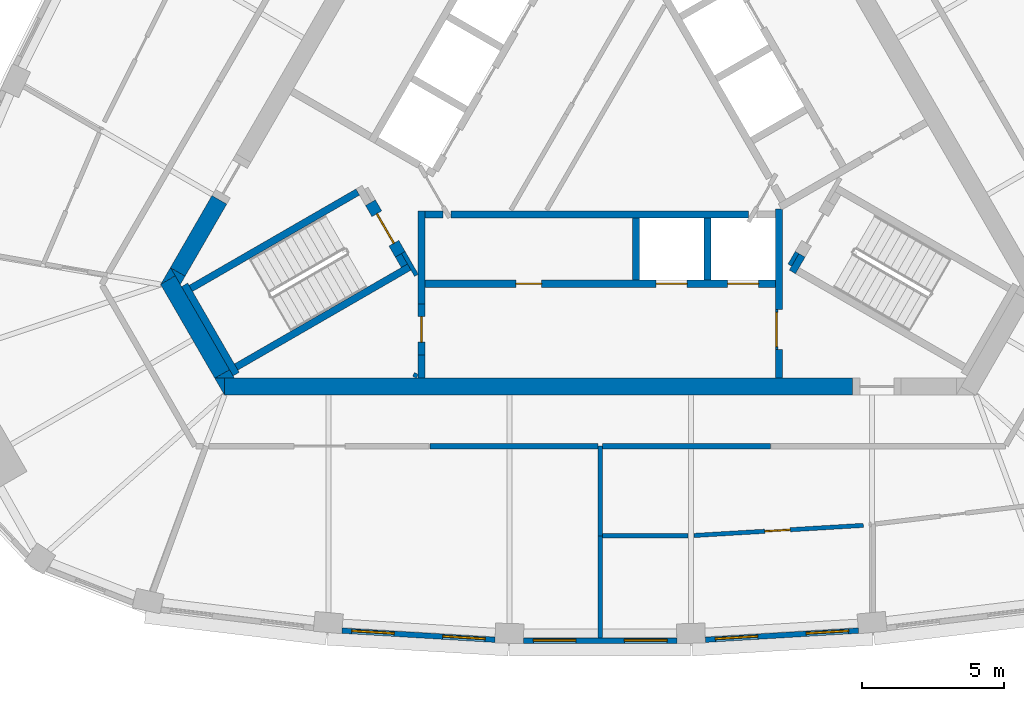
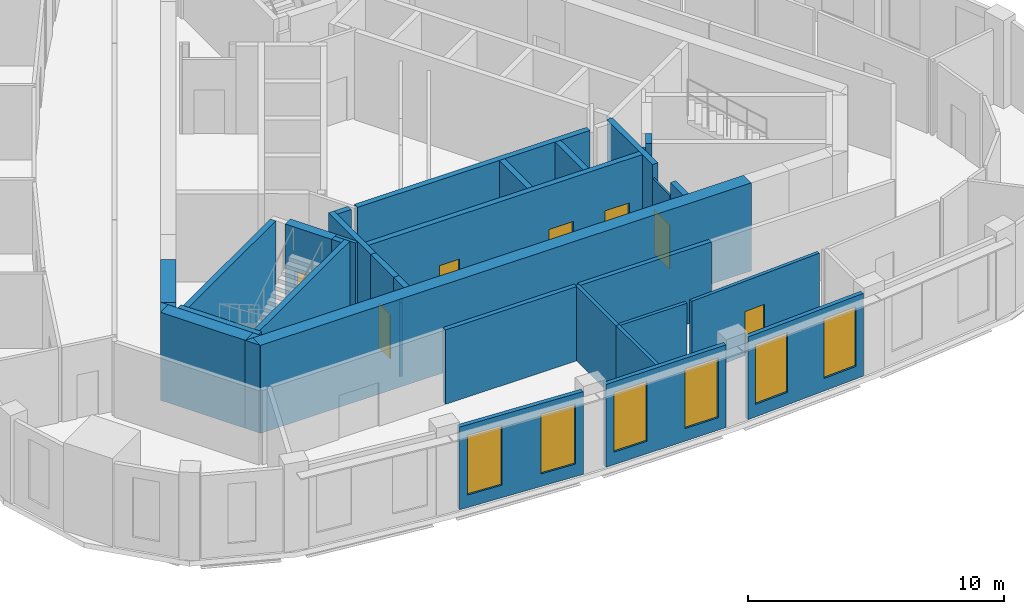
# One storey, part 3 of 10: 36 walls, 7 doors, 6 windows, 13 openings.
"""IFC4 building model written with IfcOpenShell, lengths in metres."""

from ifc_helpers import new_model, si_unit, direction, frame, frame_2d, origin, place, context, subcontext, project, spatial, polyline, rectangle, outline, extrude, material, layer, layer_set, type_object, element, fill, save


model = new_model("IFC4")

# Units and contexts
model_context = context("Model", 3, precision=1e-05, world=origin(), true_north=direction((0.0, 1.0)))
body_context = subcontext(model_context, "Body", "Model", "MODEL_VIEW")
ifc_project = project(units=[si_unit("LENGTHUNIT", "METRE"), si_unit("AREAUNIT", "SQUARE_METRE"), si_unit("VOLUMEUNIT", "CUBIC_METRE"), si_unit("PLANEANGLEUNIT", "RADIAN"), si_unit("MASSUNIT", "GRAM", prefix="KILO")], contexts=[model_context])

# Site, building, storey
site_placement = place(None, origin())
site = spatial("IfcSite", under=ifc_project, at=site_placement, CompositionType="ELEMENT")
building_placement = place(site_placement, origin())
building = spatial("IfcBuilding", under=site, at=building_placement, Name="Mestral Congress Tower", CompositionType="ELEMENT")
storey_placement = place(building_placement, frame((0.0, 0.0, 296.39990234375)))
storey = spatial("IfcBuildingStorey", under=building, at=storey_placement, Name="L69", CompositionType="ELEMENT", Elevation=296.39990234375)

# Walls
ifc_material_1 = material(Name="Fire-rated board partition")
ifc_layer_1 = layer(ifc_material_1, 0.14990234375)
ifc_layer_set_1 = layer_set([ifc_layer_1], Name="Fire-rated board partition")
wall_type_1 = type_object("IfcWallType", Name="Core partition 150", PredefinedType="PARTITIONING", material=ifc_layer_set_1)
wall_1_placement = place(storey_placement, frame((6.94482421875, -5.22216796875, 0.0), z_axis=(0.0, 0.0, 1.0), x_axis=(-0.499818422106, -0.866130212453, 0.0)))
element("IfcWall", 1, at=wall_1_placement, inside=storey, type_object=wall_type_1, Name="L69 core wall", PredefinedType="PARTITIONING", context=body_context, shape_type="SweptSolid", body=[
    extrude(rectangle(XDim=0.513916015625, YDim=0.14990234375, at=frame_2d((0.2568359375, 0.0))), origin(), (0.0, 0.0, 1.0), 3.550048828125),
])
wall_2_placement = place(storey_placement, frame((-6.552978515625, -9.6181640625, 0.0), z_axis=(0.0, 0.0, 1.0), x_axis=(0.499915430684, 0.866074224396, 0.0)))
element("IfcWall", 2, at=wall_2_placement, inside=storey, type_object=wall_type_1, Name="L69 core wall", PredefinedType="PARTITIONING", context=body_context, shape_type="SweptSolid", body=[
    extrude(rectangle(XDim=0.14599609375, YDim=0.14990234375, at=frame_2d((0.072998046875, 0.0))), origin(), (0.0, 0.0, 1.0), 3.550048828125),
])

# Wall, opening, door
ifc_layer_2 = layer(ifc_material_1, 0.090087890625)
ifc_layer_set_2 = layer_set([ifc_layer_2], Name="Fire-rated board partition")
wall_type_2 = type_object("IfcWallType", Name="Core partition 150 door-wall 90", PredefinedType="PARTITIONING", material=ifc_layer_set_2)
wall_3_placement = place(storey_placement, frame((6.219970703125, -7.23681640625, 0.0), z_axis=(0.0, 0.0, 1.0), x_axis=(0.0, -1.0, 0.0)))
wall_3 = element("IfcWall", 3, at=wall_3_placement, inside=storey, type_object=wall_type_2, Name="L69 door wall", PredefinedType="PARTITIONING", context=body_context, shape_type="SweptSolid", body=[
    extrude(rectangle(XDim=1.400146484375, YDim=0.090087890625, at=frame_2d((0.7001953125, 0.0))), origin(), (0.0, 0.0, 1.0), 3.550048828125),
])
opening_1_placement = place(wall_3_placement, frame((0.10009765625, 0.0, 0.0)))
opening_1 = element("IfcOpeningElement", 4, at=opening_1_placement, cuts=wall_3, Name="Opening LB0-WL1", PredefinedType="OPENING", context=body_context, shape_type="SweptSolid", body=[
    extrude(rectangle(XDim=1.199951171875, YDim=2.10009765625, at=frame_2d((0.60009765625, 1.050048828125))), frame((0.0, 0.054931640625, 0.0), z_axis=(0.0, -1.0, 0.0), x_axis=(1.0, 0.0, 0.0)), (0.0, 0.0, 1.0), 0.110107421875),
])
ifc_material_2 = material(Name="Fire-rated steel door set", Category="steel")
door_type_1 = type_object("IfcDoorType", Name="Core door LB 1200x2100", OperationType="SINGLE_SWING_LEFT", PredefinedType="DOOR", material=ifc_material_2)
door_1_placement = place(opening_1_placement, origin())
door_1 = element("IfcDoor", 5, at=door_1_placement, inside=storey, type_object=door_type_1, Name="Door LB0-WL1", OperationType="SINGLE_SWING_LEFT", OverallHeight=2.10009765625, OverallWidth=1.199951171875, PredefinedType="DOOR", context=body_context, shape_type="SweptSolid", body=[
    extrude(rectangle(XDim=1.199951171875, YDim=2.10009765625, at=frame_2d((0.60009765625, 1.050048828125))), frame((0.0, 0.02490234375, 0.0), z_axis=(0.0, -1.0, 0.0), x_axis=(1.0, 0.0, 0.0)), (0.0, 0.0, 1.0), 0.050048828125),
])
fill(opening_1, door_1)

# Walls
ifc_material_3 = material(Name="Concrete C60/75", Category="concrete")
ifc_layer_3 = layer(ifc_material_3, 0.60009765625)
ifc_layer_set_3 = layer_set([ifc_layer_3], Name="Concrete C60/75")
wall_type_3 = type_object("IfcWallType", Name="Core wall RC 600", PredefinedType="SOLIDWALL", material=ifc_layer_set_3)
wall_4_placement = place(storey_placement, frame((8.904296875, -9.949951171875, 0.0), z_axis=(0.0, 0.0, 1.0), x_axis=(-1.0, 0.0, 0.0)))
element("IfcWall", 6, at=wall_4_placement, inside=storey, type_object=wall_type_3, Name="L69 core wall", PredefinedType="SOLIDWALL", context=body_context, shape_type="SweptSolid", body=[
    extrude(rectangle(XDim=22.160888671875, YDim=0.60009765625, at=frame_2d((11.08056640625, 0.0))), origin(), (0.0, 0.0, 1.0), 4.2001953125),
])
placement = place(storey_placement, origin())
element("IfcWall", 7, at=placement, inside=storey, type_object=wall_type_3, Name="L69 core wall", PredefinedType="SOLIDWALL", context=body_context, shape_type="SweptSolid", body=[
    extrude(outline(polyline([(-13.5966796875, -9.64990234375), (-13.258544921875, -9.64990234375), (-13.258544921875, -10.235595703125), (-13.5966796875, -9.64990234375)])), origin(), (0.0, 0.0, 1.0), 4.2001953125),
])
wall_6_placement = place(storey_placement, frame((-13.33349609375, -9.505615234375, 0.0), z_axis=(0.0, 0.0, 1.0), x_axis=(-0.500019073792, 0.866014391245, 0.0)))
element("IfcWall", 8, at=wall_6_placement, inside=storey, type_object=wall_type_3, Name="L69 core wall", PredefinedType="SOLIDWALL", context=body_context, shape_type="SweptSolid", body=[
    extrude(rectangle(XDim=3.823486328125, YDim=0.60009765625, at=frame_2d((1.91162109375, 0.0))), origin(), (0.0, 0.0, 1.0), 4.2001953125),
])
element("IfcWall", 9, at=placement, inside=storey, type_object=wall_type_3, Name="L69 core wall", PredefinedType="SOLIDWALL", context=body_context, shape_type="SweptSolid", body=[
    extrude(outline(polyline([(-14.986572265625, -6.042724609375), (-15.493408203125, -6.33544921875), (-15.155517578125, -5.75), (-14.986572265625, -6.042724609375)])), origin(), (0.0, 0.0, 1.0), 4.2001953125),
])
element("IfcWall", 10, at=placement, inside=storey, type_object=wall_type_3, Name="L69 core wall", PredefinedType="SOLIDWALL", context=body_context, shape_type="SweptSolid", body=[
    extrude(outline(polyline([(-12.90380859375, -9.64990234375), (-13.579833984375, -9.64990234375), (-13.07275390625, -9.357421875), (-12.90380859375, -9.64990234375)])), origin(), (0.0, 0.0, 1.0), 4.2001953125),
])
wall_9_placement = place(storey_placement, frame((-13.431640625, -3.3642578125, 0.0), z_axis=(0.0, 0.0, 1.0), x_axis=(-0.499960127962, -0.866048422692, 0.0)))
element("IfcWall", 11, at=wall_9_placement, inside=storey, type_object=wall_type_3, Name="L69 core wall", PredefinedType="SOLIDWALL", context=body_context, shape_type="SweptSolid", body=[
    extrude(rectangle(XDim=2.934326171875, YDim=0.60009765625, at=frame_2d((1.46728515625, 0.0))), origin(), (0.0, 0.0, 1.0), 4.2001953125),
])
element("IfcWall", 12, at=placement, inside=storey, type_object=wall_type_3, Name="L69 core wall", PredefinedType="SOLIDWALL", context=body_context, shape_type="SweptSolid", body=[
    extrude(outline(polyline([(-14.80908203125, -6.35009765625), (-15.147216796875, -5.764404296875), (-14.639892578125, -6.057373046875), (-14.80908203125, -6.35009765625)])), origin(), (0.0, 0.0, 1.0), 4.2001953125),
])

# Wall, openings, windows
ifc_material_4 = material(Name="Precast concrete C40/50 with limestone facing", Category="masonry")
ifc_layer_4 = layer(ifc_material_4, 0.18994140625)
ifc_layer_set_4 = layer_set([ifc_layer_4], Name="Precast concrete C40/50 with limestone facing")
wall_type_4 = type_object("IfcWallType", Name="Facade stone wall 190", PredefinedType="SOLIDWALL", material=ifc_layer_set_4)
wall_11_placement = place(storey_placement, frame((-9.106689453125, -18.557861328125, 0.0), z_axis=(0.0, 0.0, 1.0), x_axis=(0.998221492823, -0.059614186786, 0.0)))
wall_11 = element("IfcWall", 13, at=wall_11_placement, inside=storey, type_object=wall_type_4, Name="Facade wall F0-01", PredefinedType="SOLIDWALL", context=body_context, shape_type="SweptSolid", body=[
    extrude(rectangle(XDim=5.40576171875, YDim=0.18994140625, at=frame_2d((2.702880859375, 0.0))), origin(), (0.0, 0.0, 1.0), 3.9501953125),
])
opening_2_placement = place(wall_11_placement, frame((0.346435546875, 0.0, 0.60009765625)))
opening_2 = element("IfcOpeningElement", 14, at=opening_2_placement, cuts=wall_11, Name="Opening W6", PredefinedType="OPENING", context=body_context, shape_type="SweptSolid", body=[
    extrude(rectangle(XDim=1.5, YDim=2.85009765625, at=frame_2d((0.75, 1.425048828125))), frame((0.0, 0.10498046875, 0.0), z_axis=(0.0, -1.0, 0.0), x_axis=(1.0, 0.0, 0.0)), (0.0, 0.0, 1.0), 0.2099609375),
])
opening_3_placement = place(wall_11_placement, frame((3.559326171875, 0.0, 0.60009765625)))
opening_3 = element("IfcOpeningElement", 15, at=opening_3_placement, cuts=wall_11, Name="Opening W6", PredefinedType="OPENING", context=body_context, shape_type="SweptSolid", body=[
    extrude(rectangle(XDim=1.5, YDim=2.85009765625, at=frame_2d((0.75, 1.425048828125))), frame((0.0, 0.10498046875, 0.0), z_axis=(0.0, -1.0, 0.0), x_axis=(1.0, 0.0, 0.0)), (0.0, 0.0, 1.0), 0.2099609375),
])
ifc_material_5 = material(Name="Clear low-emissivity double glazing", Category="glass")
window_type = type_object("IfcWindowType", Name="Facade punched window 1500 x 2850 sill 600", PartitioningType="SINGLE_PANEL", PredefinedType="WINDOW", material=ifc_material_5)
window_1_placement = place(opening_2_placement, origin())
window_1 = element("IfcWindow", 16, at=window_1_placement, inside=storey, type_object=window_type, Name="Window F0-01a", OverallHeight=2.85009765625, OverallWidth=1.5, PartitioningType="SINGLE_PANEL", PredefinedType="WINDOW", context=body_context, shape_type="SweptSolid", body=[
    extrude(rectangle(XDim=1.5, YDim=2.85009765625, at=frame_2d((0.75, 1.425048828125))), frame((0.0, 0.044921875, 0.0), z_axis=(0.0, -1.0, 0.0), x_axis=(1.0, 0.0, 0.0)), (0.0, 0.0, 1.0), 0.06005859375),
])
fill(opening_2, window_1)
window_2_placement = place(opening_3_placement, origin())
window_2 = element("IfcWindow", 17, at=window_2_placement, inside=storey, type_object=window_type, Name="Window F0-01b", OverallHeight=2.85009765625, OverallWidth=1.5, PartitioningType="SINGLE_PANEL", PredefinedType="WINDOW", context=body_context, shape_type="SweptSolid", body=[
    extrude(rectangle(XDim=1.5, YDim=2.85009765625, at=frame_2d((0.75, 1.425048828125))), frame((0.0, 0.044921875, 0.0), z_axis=(0.0, -1.0, 0.0), x_axis=(1.0, 0.0, 0.0)), (0.0, 0.0, 1.0), 0.06005859375),
])
fill(opening_3, window_2)

wall_12_placement = place(storey_placement, frame((-2.702880859375, -18.91015625, 0.0), z_axis=(0.0, 0.0, 1.0), x_axis=(1.0, 0.0, 0.0)))
wall_12 = element("IfcWall", 18, at=wall_12_placement, inside=storey, type_object=wall_type_4, Name="Facade wall F0-02", PredefinedType="SOLIDWALL", context=body_context, shape_type="SweptSolid", body=[
    extrude(rectangle(XDim=5.40576171875, YDim=0.18994140625, at=frame_2d((2.702880859375, 0.0))), origin(), (0.0, 0.0, 1.0), 3.9501953125),
])
opening_4_placement = place(wall_12_placement, frame((0.346435546875, 0.0, 0.60009765625)))
opening_4 = element("IfcOpeningElement", 19, at=opening_4_placement, cuts=wall_12, Name="Opening W6", PredefinedType="OPENING", context=body_context, shape_type="SweptSolid", body=[
    extrude(rectangle(XDim=1.5, YDim=2.85009765625, at=frame_2d((0.75, 1.425048828125))), frame((0.0, 0.10498046875, 0.0), z_axis=(0.0, -1.0, 0.0), x_axis=(1.0, 0.0, 0.0)), (0.0, 0.0, 1.0), 0.2099609375),
])
opening_5_placement = place(wall_12_placement, frame((3.5595703125, 0.0, 0.60009765625)))
opening_5 = element("IfcOpeningElement", 20, at=opening_5_placement, cuts=wall_12, Name="Opening W6", PredefinedType="OPENING", context=body_context, shape_type="SweptSolid", body=[
    extrude(rectangle(XDim=1.5, YDim=2.85009765625, at=frame_2d((0.75, 1.425048828125))), frame((0.0, 0.10498046875, 0.0), z_axis=(0.0, -1.0, 0.0), x_axis=(1.0, 0.0, 0.0)), (0.0, 0.0, 1.0), 0.2099609375),
])
window_3_placement = place(opening_4_placement, origin())
window_3 = element("IfcWindow", 21, at=window_3_placement, inside=storey, type_object=window_type, Name="Window F0-02a", OverallHeight=2.85009765625, OverallWidth=1.5, PartitioningType="SINGLE_PANEL", PredefinedType="WINDOW", context=body_context, shape_type="SweptSolid", body=[
    extrude(rectangle(XDim=1.5, YDim=2.85009765625, at=frame_2d((0.75, 1.425048828125))), frame((0.0, 0.044921875, 0.0), z_axis=(0.0, -1.0, 0.0), x_axis=(1.0, 0.0, 0.0)), (0.0, 0.0, 1.0), 0.06005859375),
])
fill(opening_4, window_3)
window_4_placement = place(opening_5_placement, origin())
window_4 = element("IfcWindow", 22, at=window_4_placement, inside=storey, type_object=window_type, Name="Window F0-02b", OverallHeight=2.85009765625, OverallWidth=1.5, PartitioningType="SINGLE_PANEL", PredefinedType="WINDOW", context=body_context, shape_type="SweptSolid", body=[
    extrude(rectangle(XDim=1.5, YDim=2.85009765625, at=frame_2d((0.75, 1.425048828125))), frame((0.0, 0.044921875, 0.0), z_axis=(0.0, -1.0, 0.0), x_axis=(1.0, 0.0, 0.0)), (0.0, 0.0, 1.0), 0.06005859375),
])
fill(opening_5, window_4)

wall_13_placement = place(storey_placement, frame((3.71044921875, -18.880126953125, 0.0), z_axis=(0.0, 0.0, 1.0), x_axis=(0.998221492823, 0.059614186786, 0.0)))
wall_13 = element("IfcWall", 23, at=wall_13_placement, inside=storey, type_object=wall_type_4, Name="Facade wall F0-03", PredefinedType="SOLIDWALL", context=body_context, shape_type="SweptSolid", body=[
    extrude(rectangle(XDim=5.40576171875, YDim=0.18994140625, at=frame_2d((2.702880859375, 0.0))), origin(), (0.0, 0.0, 1.0), 3.9501953125),
])
opening_6_placement = place(wall_13_placement, frame((0.346435546875, 0.0, 0.60009765625)))
opening_6 = element("IfcOpeningElement", 24, at=opening_6_placement, cuts=wall_13, Name="Opening W6", PredefinedType="OPENING", context=body_context, shape_type="SweptSolid", body=[
    extrude(rectangle(XDim=1.5, YDim=2.85009765625, at=frame_2d((0.75, 1.425048828125))), frame((0.0, 0.10498046875, 0.0), z_axis=(0.0, -1.0, 0.0), x_axis=(1.0, 0.0, 0.0)), (0.0, 0.0, 1.0), 0.2099609375),
])
opening_7_placement = place(wall_13_placement, frame((3.559326171875, 0.0, 0.60009765625)))
opening_7 = element("IfcOpeningElement", 25, at=opening_7_placement, cuts=wall_13, Name="Opening W6", PredefinedType="OPENING", context=body_context, shape_type="SweptSolid", body=[
    extrude(rectangle(XDim=1.5, YDim=2.85009765625, at=frame_2d((0.75, 1.425048828125))), frame((0.0, 0.10498046875, 0.0), z_axis=(0.0, -1.0, 0.0), x_axis=(1.0, 0.0, 0.0)), (0.0, 0.0, 1.0), 0.2099609375),
])
window_5_placement = place(opening_6_placement, origin())
window_5 = element("IfcWindow", 26, at=window_5_placement, inside=storey, type_object=window_type, Name="Window F0-03a", OverallHeight=2.85009765625, OverallWidth=1.5, PartitioningType="SINGLE_PANEL", PredefinedType="WINDOW", context=body_context, shape_type="SweptSolid", body=[
    extrude(rectangle(XDim=1.5, YDim=2.85009765625, at=frame_2d((0.75, 1.425048828125))), frame((0.0, 0.044921875, 0.0), z_axis=(0.0, -1.0, 0.0), x_axis=(1.0, 0.0, 0.0)), (0.0, 0.0, 1.0), 0.06005859375),
])
fill(opening_6, window_5)
window_6_placement = place(opening_7_placement, origin())
window_6 = element("IfcWindow", 27, at=window_6_placement, inside=storey, type_object=window_type, Name="Window F0-03b", OverallHeight=2.85009765625, OverallWidth=1.5, PartitioningType="SINGLE_PANEL", PredefinedType="WINDOW", context=body_context, shape_type="SweptSolid", body=[
    extrude(rectangle(XDim=1.5, YDim=2.85009765625, at=frame_2d((0.75, 1.425048828125))), frame((0.0, 0.044921875, 0.0), z_axis=(0.0, -1.0, 0.0), x_axis=(1.0, 0.0, 0.0)), (0.0, 0.0, 1.0), 0.06005859375),
])
fill(opening_7, window_6)

# Walls
ifc_material_6 = material(Name="Plasterboard partition on steel studs", Category="steel")
ifc_layer_5 = layer(ifc_material_6, 0.14990234375)
ifc_layer_set_5 = layer_set([ifc_layer_5], Name="Plasterboard partition on steel studs")
wall_type_5 = type_object("IfcWallType", Name="Office partition 150", PredefinedType="PARTITIONING", material=ifc_layer_set_5)
wall_14_placement = place(storey_placement, frame((0.0, -15.211181640625, 0.0), z_axis=(0.0, 0.0, 1.0), x_axis=(0.0, -1.0, 0.0)))
element("IfcWall", 28, at=wall_14_placement, inside=storey, type_object=wall_type_5, Name="Partition", PredefinedType="PARTITIONING", context=body_context, shape_type="SweptSolid", body=[
    extrude(rectangle(XDim=3.60400390625, YDim=0.14990234375, at=frame_2d((1.802001953125, 0.0))), origin(), (0.0, 0.0, 1.0), 3.550048828125),
])
wall_15_placement = place(storey_placement, frame((0.0, -12.050048828125, 0.0), z_axis=(0.0, 0.0, 1.0), x_axis=(0.0, -1.0, 0.0)))
element("IfcWall", 29, at=wall_15_placement, inside=storey, type_object=wall_type_5, Name="Partition", PredefinedType="PARTITIONING", context=body_context, shape_type="SweptSolid", body=[
    extrude(rectangle(XDim=3.169189453125, YDim=0.14990234375, at=frame_2d((1.58447265625, 0.0))), origin(), (0.0, 0.0, 1.0), 3.550048828125),
])
wall_16_placement = place(storey_placement, frame((0.074951171875, -15.215087890625, 0.0), z_axis=(0.0, 0.0, 1.0), x_axis=(1.0, 0.0, 0.0)))
element("IfcWall", 30, at=wall_16_placement, inside=storey, type_object=wall_type_5, Name="Partition", PredefinedType="PARTITIONING", context=body_context, shape_type="SweptSolid", body=[
    extrude(rectangle(XDim=3.02197265625, YDim=0.14990234375, at=frame_2d((1.510986328125, 0.0))), origin(), (0.0, 0.0, 1.0), 3.550048828125),
])

# Wall, opening, door
wall_17_placement = place(storey_placement, frame((9.279541015625, -14.845947265625, 0.0), z_axis=(0.0, 0.0, 1.0), x_axis=(-0.998221600551, -0.059612382886, 0.0)))
wall_17 = element("IfcWall", 31, at=wall_17_placement, inside=storey, type_object=wall_type_5, Name="Partition", PredefinedType="PARTITIONING", context=body_context, shape_type="SweptSolid", body=[
    extrude(rectangle(XDim=5.9794921875, YDim=0.14990234375, at=frame_2d((2.98974609375, 0.0))), origin(), (0.0, 0.0, 1.0), 3.550048828125),
])
opening_8_placement = place(wall_17_placement, frame((2.57958984375, 0.0, 0.0)))
opening_8 = element("IfcOpeningElement", 32, at=opening_8_placement, cuts=wall_17, Name="Opening O13-002", PredefinedType="OPENING", context=body_context, shape_type="SweptSolid", body=[
    extrude(rectangle(XDim=0.89990234375, YDim=2.10009765625, at=frame_2d((0.449951171875, 1.050048828125))), frame((0.0, 0.0849609375, 0.0), z_axis=(0.0, -1.0, 0.0), x_axis=(1.0, 0.0, 0.0)), (0.0, 0.0, 1.0), 0.169921875),
])
ifc_material_7 = material(Name="Timber door set", Category="wood")
door_type_2 = type_object("IfcDoorType", Name="Office door 900x2100", OperationType="SINGLE_SWING_LEFT", PredefinedType="DOOR", material=ifc_material_7)
door_2_placement = place(opening_8_placement, origin())
door_2 = element("IfcDoor", 33, at=door_2_placement, inside=storey, type_object=door_type_2, Name="Door O13-002", OperationType="SINGLE_SWING_RIGHT", OverallHeight=2.10009765625, OverallWidth=0.89990234375, PredefinedType="DOOR", context=body_context, shape_type="SweptSolid", body=[
    extrude(rectangle(XDim=0.89990234375, YDim=2.10009765625, at=frame_2d((0.449951171875, 1.050048828125))), frame((0.0, 0.02490234375, 0.0), z_axis=(0.0, -1.0, 0.0), x_axis=(1.0, 0.0, 0.0)), (0.0, 0.0, 1.0), 0.050048828125),
])
fill(opening_8, door_2)

# Walls
ifc_material_8 = material(Name="Dense masonry wall, plastered", Category="masonry")
ifc_layer_6 = layer(ifc_material_8, 0.199951171875)
ifc_layer_set_6 = layer_set([ifc_layer_6], Name="Dense masonry wall, plastered")
wall_type_6 = type_object("IfcWallType", Name="Office tenancy wall 200", PredefinedType="PARTITIONING", material=ifc_layer_set_6)
for number, where, z_axis, x_axis, name in (
    (34, (-6.0, -12.050048828125, 0.0), (0.0, 0.0, 1.0), (1.0, 0.0, 0.0), "Tenancy wall"),
    (35, (0.074951171875, -12.050048828125, 0.0), (0.0, 0.0, 1.0), (1.0, 0.0, 0.0), "Tenancy wall"),
):
    element("IfcWall", number, at=place(storey_placement, frame(where, z_axis=z_axis, x_axis=x_axis)), inside=storey, type_object=wall_type_6, Name=name, PredefinedType="PARTITIONING", context=body_context, shape_type="SweptSolid", body=[
        extrude(rectangle(XDim=5.925048828125, YDim=0.199951171875, at=frame_2d((2.96240234375, 0.0))), origin(), (0.0, 0.0, 1.0), 3.550048828125),
    ])
ifc_layer_7 = layer(ifc_material_3, 0.25)
ifc_layer_set_7 = layer_set([ifc_layer_7], Name="Concrete C60/75")
wall_type_7 = type_object("IfcWallType", Name="Shaft wall RC 250", PredefinedType="SOLIDWALL", material=ifc_layer_set_7)
wall_18_placement = place(storey_placement, frame((6.300048828125, -7.239990234375, 0.0), z_axis=(0.0, 0.0, 1.0), x_axis=(0.0, 1.0, 0.0)))
element("IfcWall", 36, at=wall_18_placement, inside=storey, type_object=wall_type_7, Name="L69 core wall", PredefinedType="SOLIDWALL", context=body_context, shape_type="SweptSolid", body=[
    extrude(rectangle(XDim=3.55615234375, YDim=0.25, at=frame_2d((1.778076171875, 0.0))), origin(), (0.0, 0.0, 1.0), 4.2001953125),
])
wall_19_placement = place(storey_placement, frame((6.300048828125, -9.64990234375, 0.0), z_axis=(0.0, 0.0, 1.0), x_axis=(0.0, 1.0, 0.0)))
element("IfcWall", 37, at=wall_19_placement, inside=storey, type_object=wall_type_7, Name="L69 core wall", PredefinedType="SOLIDWALL", context=body_context, shape_type="SweptSolid", body=[
    extrude(rectangle(XDim=1.0078125, YDim=0.25, at=frame_2d((0.50390625, 0.0))), origin(), (0.0, 0.0, 1.0), 4.2001953125),
])
wall_20_placement = place(storey_placement, frame((-5.25927734375, -3.875, 0.0), z_axis=(0.0, 0.0, 1.0), x_axis=(1.0, 0.0, 0.0)))
element("IfcWall", 38, at=wall_20_placement, inside=storey, type_object=wall_type_7, Name="L69 core wall", PredefinedType="SOLIDWALL", context=body_context, shape_type="SweptSolid", body=[
    extrude(rectangle(XDim=10.488525390625, YDim=0.25, at=frame_2d((5.244140625, 0.0))), origin(), (0.0, 0.0, 1.0), 4.2001953125),
])
for number, where, z_axis, x_axis, name in (
    (39, (1.260009765625, -4.0, 0.0), (0.0, 0.0, 1.0), (0.0, -1.0, 0.0), "L69 core wall"),
    (40, (3.780029296875, -4.0, 0.0), (0.0, 0.0, 1.0), (0.0, -1.0, 0.0), "L69 core wall"),
):
    element("IfcWall", number, at=place(storey_placement, frame(where, z_axis=z_axis, x_axis=x_axis)), inside=storey, type_object=wall_type_7, Name=name, PredefinedType="SOLIDWALL", context=body_context, shape_type="SweptSolid", body=[
        extrude(rectangle(XDim=2.199951171875, YDim=0.25, at=frame_2d((1.10009765625, 0.0))), origin(), (0.0, 0.0, 1.0), 4.2001953125),
    ])
wall_21_placement = place(storey_placement, frame((-6.300048828125, -7.033447265625, 0.0), z_axis=(0.0, 0.0, 1.0), x_axis=(0.0, 1.0, 0.0)))
element("IfcWall", 41, at=wall_21_placement, inside=storey, type_object=wall_type_7, Name="L69 core wall", PredefinedType="SOLIDWALL", context=body_context, shape_type="SweptSolid", body=[
    extrude(rectangle(XDim=3.283447265625, YDim=0.25, at=frame_2d((1.6416015625, 0.0))), origin(), (0.0, 0.0, 1.0), 4.2001953125),
])
wall_22_placement = place(storey_placement, frame((-6.175048828125, -3.875, 0.0), z_axis=(0.0, 0.0, 1.0), x_axis=(1.0, 0.0, 0.0)))
element("IfcWall", 42, at=wall_22_placement, inside=storey, type_object=wall_type_7, Name="L69 core wall", PredefinedType="SOLIDWALL", context=body_context, shape_type="SweptSolid", body=[
    extrude(rectangle(XDim=0.63671875, YDim=0.25, at=frame_2d((0.318359375, 0.0))), origin(), (0.0, 0.0, 1.0), 4.2001953125),
])
wall_23_placement = place(storey_placement, frame((-6.300048828125, -9.64990234375, 0.0), z_axis=(0.0, 0.0, 1.0), x_axis=(0.0, 1.0, 0.0)))
element("IfcWall", 43, at=wall_23_placement, inside=storey, type_object=wall_type_7, Name="L69 core wall", PredefinedType="SOLIDWALL", context=body_context, shape_type="SweptSolid", body=[
    extrude(rectangle(XDim=0.816162109375, YDim=0.25, at=frame_2d((0.408203125, 0.0))), origin(), (0.0, 0.0, 1.0), 4.2001953125),
])

# Wall, openings, doors
wall_24_placement = place(storey_placement, frame((-6.175048828125, -6.324951171875, 0.0), z_axis=(0.0, 0.0, 1.0), x_axis=(1.0, 0.0, 0.0)))
wall_24 = element("IfcWall", 44, at=wall_24_placement, inside=storey, type_object=wall_type_7, Name="L69 door wall", PredefinedType="SOLIDWALL", context=body_context, shape_type="SweptSolid", body=[
    extrude(rectangle(XDim=12.35009765625, YDim=0.25, at=frame_2d((6.175048828125, 0.0))), origin(), (0.0, 0.0, 1.0), 4.2001953125),
])
opening_9_placement = place(wall_24_placement, frame((3.205078125, 0.0, 0.0)))
opening_9 = element("IfcOpeningElement", 45, at=opening_9_placement, cuts=wall_24, Name="Opening SR-SOB1", PredefinedType="OPENING", context=body_context, shape_type="SweptSolid", body=[
    extrude(rectangle(XDim=0.89990234375, YDim=2.10009765625, at=frame_2d((0.449951171875, 1.050048828125))), frame((0.0, 0.135009765625, 0.0), z_axis=(0.0, -1.0, 0.0), x_axis=(1.0, 0.0, 0.0)), (0.0, 0.0, 1.0), 0.27001953125),
])
opening_10_placement = place(wall_24_placement, frame((8.14501953125, 0.0, 0.0)))
opening_10 = element("IfcOpeningElement", 46, at=opening_10_placement, cuts=wall_24, Name="Opening LD-SOB4", PredefinedType="OPENING", context=body_context, shape_type="SweptSolid", body=[
    extrude(rectangle(XDim=1.10009765625, YDim=2.10009765625, at=frame_2d((0.550048828125, 1.050048828125))), frame((0.0, 0.135009765625, 0.0), z_axis=(0.0, -1.0, 0.0), x_axis=(1.0, 0.0, 0.0)), (0.0, 0.0, 1.0), 0.27001953125),
])
opening_11_placement = place(wall_24_placement, frame((10.6650390625, 0.0, 0.0)))
opening_11 = element("IfcOpeningElement", 47, at=opening_11_placement, cuts=wall_24, Name="Opening LD-SOB5", PredefinedType="OPENING", context=body_context, shape_type="SweptSolid", body=[
    extrude(rectangle(XDim=1.10009765625, YDim=2.10009765625, at=frame_2d((0.550048828125, 1.050048828125))), frame((0.0, 0.135009765625, 0.0), z_axis=(0.0, -1.0, 0.0), x_axis=(1.0, 0.0, 0.0)), (0.0, 0.0, 1.0), 0.27001953125),
])
door_type_3 = type_object("IfcDoorType", Name="Core door LD 1100x2100", OperationType="DOUBLE_DOOR_SLIDING", PredefinedType="DOOR", material=ifc_material_2)
door_3_placement = place(opening_10_placement, origin())
door_3 = element("IfcDoor", 48, at=door_3_placement, inside=storey, type_object=door_type_3, Name="Door LD-SOB4", OperationType="DOUBLE_DOOR_SLIDING", OverallHeight=2.10009765625, OverallWidth=1.10009765625, PredefinedType="DOOR", context=body_context, shape_type="SweptSolid", body=[
    extrude(rectangle(XDim=1.10009765625, YDim=2.10009765625, at=frame_2d((0.550048828125, 1.050048828125))), frame((0.0, 0.02490234375, 0.0), z_axis=(0.0, -1.0, 0.0), x_axis=(1.0, 0.0, 0.0)), (0.0, 0.0, 1.0), 0.050048828125),
])
fill(opening_10, door_3)
door_4_placement = place(opening_11_placement, origin())
door_4 = element("IfcDoor", 49, at=door_4_placement, inside=storey, type_object=door_type_3, Name="Door LD-SOB5", OperationType="DOUBLE_DOOR_SLIDING", OverallHeight=2.10009765625, OverallWidth=1.10009765625, PredefinedType="DOOR", context=body_context, shape_type="SweptSolid", body=[
    extrude(rectangle(XDim=1.10009765625, YDim=2.10009765625, at=frame_2d((0.550048828125, 1.050048828125))), frame((0.0, 0.02490234375, 0.0), z_axis=(0.0, -1.0, 0.0), x_axis=(1.0, 0.0, 0.0)), (0.0, 0.0, 1.0), 0.050048828125),
])
fill(opening_11, door_4)
door_type_4 = type_object("IfcDoorType", Name="Core door SR 900x2100", OperationType="SINGLE_SWING_LEFT", PredefinedType="DOOR", material=ifc_material_2)
door_5_placement = place(opening_9_placement, origin())
door_5 = element("IfcDoor", 50, at=door_5_placement, inside=storey, type_object=door_type_4, Name="Door SR-SOB1", OperationType="SINGLE_SWING_LEFT", OverallHeight=2.10009765625, OverallWidth=0.89990234375, PredefinedType="DOOR", context=body_context, shape_type="SweptSolid", body=[
    extrude(rectangle(XDim=0.89990234375, YDim=2.10009765625, at=frame_2d((0.449951171875, 1.050048828125))), frame((0.0, 0.02490234375, 0.0), z_axis=(0.0, -1.0, 0.0), x_axis=(1.0, 0.0, 0.0)), (0.0, 0.0, 1.0), 0.050048828125),
])
fill(opening_9, door_5)

# Wall, opening, door
wall_25_placement = place(storey_placement, frame((-6.300048828125, -7.03369140625, 0.0), z_axis=(0.0, 0.0, 1.0), x_axis=(0.0, -1.0, 0.0)))
wall_25 = element("IfcWall", 51, at=wall_25_placement, inside=storey, type_object=wall_type_7, Name="L69 door wall", PredefinedType="SOLIDWALL", context=body_context, shape_type="SweptSolid", body=[
    extrude(rectangle(XDim=1.7998046875, YDim=0.25, at=frame_2d((0.89990234375, 0.0))), origin(), (0.0, 0.0, 1.0), 4.2001953125),
])
opening_12_placement = place(wall_25_placement, frame((0.449951171875, 0.0, 0.0)))
opening_12 = element("IfcOpeningElement", 52, at=opening_12_placement, cuts=wall_25, Name="Opening TD3", PredefinedType="OPENING", context=body_context, shape_type="SweptSolid", body=[
    extrude(rectangle(XDim=0.89990234375, YDim=2.10009765625, at=frame_2d((0.449951171875, 1.050048828125))), frame((0.0, 0.135009765625, 0.0), z_axis=(0.0, -1.0, 0.0), x_axis=(1.0, 0.0, 0.0)), (0.0, 0.0, 1.0), 0.27001953125),
])
door_6_placement = place(opening_12_placement, origin())
door_6 = element("IfcDoor", 53, at=door_6_placement, inside=storey, type_object=door_type_4, Name="Door TD3", OperationType="SINGLE_SWING_LEFT", OverallHeight=2.10009765625, OverallWidth=0.89990234375, PredefinedType="DOOR", context=body_context, shape_type="SweptSolid", body=[
    extrude(rectangle(XDim=0.89990234375, YDim=2.10009765625, at=frame_2d((0.449951171875, 1.050048828125))), frame((0.0, 0.02490234375, 0.0), z_axis=(0.0, -1.0, 0.0), x_axis=(1.0, 0.0, 0.0)), (0.0, 0.0, 1.0), 0.050048828125),
])
fill(opening_12, door_6)

# Walls
ifc_layer_8 = layer(ifc_material_3, 0.14990234375)
ifc_layer_set_8 = layer_set([ifc_layer_8], Name="Concrete C60/75")
wall_type_8 = type_object("IfcWallType", Name="Shaft wall RC 250 door-wall 150", PredefinedType="SOLIDWALL", material=ifc_layer_set_8)
wall_26_placement = place(storey_placement, frame((-6.48046875, -6.026611328125, 0.0), z_axis=(0.0, 0.0, 1.0), x_axis=(-0.499927229454, 0.866067413802, 0.0)))
element("IfcWall", 54, at=wall_26_placement, inside=storey, type_object=wall_type_8, Name="L69 core wall", PredefinedType="PARTITIONING", context=body_context, shape_type="SweptSolid", body=[
    extrude(rectangle(XDim=0.928955078125, YDim=0.14990234375, at=frame_2d((0.46435546875, 0.0))), origin(), (0.0, 0.0, 1.0), 4.2001953125),
])
ifc_layer_9 = layer(ifc_material_3, 0.25)
ifc_layer_set_9 = layer_set([ifc_layer_9], Name="Concrete C60/75")
wall_type_9 = type_object("IfcWallType", Name="Stair wall RC 250", PredefinedType="SOLIDWALL", material=ifc_layer_set_9)
wall_27_placement = place(storey_placement, frame((6.780029296875, -5.906494140625, 0.0), z_axis=(0.0, 0.0, 1.0), x_axis=(0.500223362819, 0.865896406789, 0.0)))
element("IfcWall", 55, at=wall_27_placement, inside=storey, type_object=wall_type_9, Name="L69 core wall", PredefinedType="SOLIDWALL", context=body_context, shape_type="SweptSolid", body=[
    extrude(rectangle(XDim=0.675048828125, YDim=0.25, at=frame_2d((0.33740234375, 0.0))), origin(), (0.0, 0.0, 1.0), 4.2001953125),
])
wall_28_placement = place(storey_placement, frame((-12.839599609375, -9.510986328125, 0.0), z_axis=(0.0, 0.0, 1.0), x_axis=(-0.499997733992, 0.866026712061, 0.0)))
element("IfcWall", 56, at=wall_28_placement, inside=storey, type_object=wall_type_9, Name="L69 core wall", PredefinedType="SOLIDWALL", context=body_context, shape_type="SweptSolid", body=[
    extrude(rectangle(XDim=3.6337890625, YDim=0.25, at=frame_2d((1.81689453125, 0.0))), origin(), (0.0, 0.0, 1.0), 4.2001953125),
])
wall_29_placement = place(storey_placement, frame((-14.43994140625, -6.489501953125, 0.0), z_axis=(0.0, 0.0, 1.0), x_axis=(0.866022966069, 0.500004222222, 0.0)))
element("IfcWall", 57, at=wall_29_placement, inside=storey, type_object=wall_type_9, Name="L69 core wall", PredefinedType="SOLIDWALL", context=body_context, shape_type="SweptSolid", body=[
    extrude(rectangle(XDim=6.80029296875, YDim=0.25, at=frame_2d((3.400146484375, 0.0))), origin(), (0.0, 0.0, 1.0), 4.2001953125),
])
wall_30_placement = place(storey_placement, frame((-12.83984375, -9.2607421875, 0.0), z_axis=(0.0, 0.0, 1.0), x_axis=(0.866016039709, 0.500016218704, 0.0)))
element("IfcWall", 58, at=wall_30_placement, inside=storey, type_object=wall_type_9, Name="L69 core wall", PredefinedType="SOLIDWALL", context=body_context, shape_type="SweptSolid", body=[
    extrude(rectangle(XDim=7.050048828125, YDim=0.25, at=frame_2d((3.52490234375, 0.0))), origin(), (0.0, 0.0, 1.0), 4.2001953125),
])
wall_31_placement = place(storey_placement, frame((-6.905029296875, -5.68994140625, 0.0), z_axis=(0.0, 0.0, 1.0), x_axis=(-0.500402024738, 0.865793170242, 0.0)))
element("IfcWall", 59, at=wall_31_placement, inside=storey, type_object=wall_type_9, Name="L69 core wall", PredefinedType="SOLIDWALL", context=body_context, shape_type="SweptSolid", body=[
    extrude(rectangle(XDim=0.425048828125, YDim=0.25, at=frame_2d((0.21240234375, 0.0))), origin(), (0.0, 0.0, 1.0), 4.2001953125),
])

# Wall, opening, door
ifc_layer_10 = layer(ifc_material_3, 0.39990234375)
ifc_layer_set_10 = layer_set([ifc_layer_10], Name="Concrete C60/75")
wall_type_10 = type_object("IfcWallType", Name="Stair wall RC 250 door-wall 400", PredefinedType="SOLIDWALL", material=ifc_layer_set_10)
wall_32_placement = place(storey_placement, frame((-8.102783203125, -3.4658203125, 0.0), z_axis=(0.0, 0.0, 1.0), x_axis=(0.500078061341, -0.865980330357, 0.0)))
wall_32 = element("IfcWall", 60, at=wall_32_placement, inside=storey, type_object=wall_type_10, Name="L69 door wall", PredefinedType="SOLIDWALL", context=body_context, shape_type="SweptSolid", body=[
    extrude(rectangle(XDim=2.099853515625, YDim=0.39990234375, at=frame_2d((1.0498046875, 0.0))), origin(), (0.0, 0.0, 1.0), 4.2001953125),
])
opening_13_placement = place(wall_32_placement, frame((0.449951171875, 0.0, 0.0)))
opening_13 = element("IfcOpeningElement", 61, at=opening_13_placement, cuts=wall_32, Name="Opening ST-D3", PredefinedType="OPENING", context=body_context, shape_type="SweptSolid", body=[
    extrude(rectangle(XDim=1.199951171875, YDim=2.10009765625, at=frame_2d((0.60009765625, 1.050048828125))), frame((0.0, 0.2099609375, 0.0), z_axis=(0.0, -1.0, 0.0), x_axis=(1.0, 0.0, 0.0)), (0.0, 0.0, 1.0), 0.419921875),
])
door_type_5 = type_object("IfcDoorType", Name="Core door ST 1200x2100", OperationType="SINGLE_SWING_LEFT", PredefinedType="DOOR", material=ifc_material_2)
door_7_placement = place(opening_13_placement, origin())
door_7 = element("IfcDoor", 62, at=door_7_placement, inside=storey, type_object=door_type_5, Name="Door ST-D3", OperationType="SINGLE_SWING_LEFT", OverallHeight=2.10009765625, OverallWidth=1.199951171875, PredefinedType="DOOR", context=body_context, shape_type="SweptSolid", body=[
    extrude(rectangle(XDim=1.199951171875, YDim=2.10009765625, at=frame_2d((0.60009765625, 1.050048828125))), frame((0.0, 0.02490234375, 0.0), z_axis=(0.0, -1.0, 0.0), x_axis=(1.0, 0.0, 0.0)), (0.0, 0.0, 1.0), 0.050048828125),
])
fill(opening_13, door_7)

save(model, "model.ifc")
